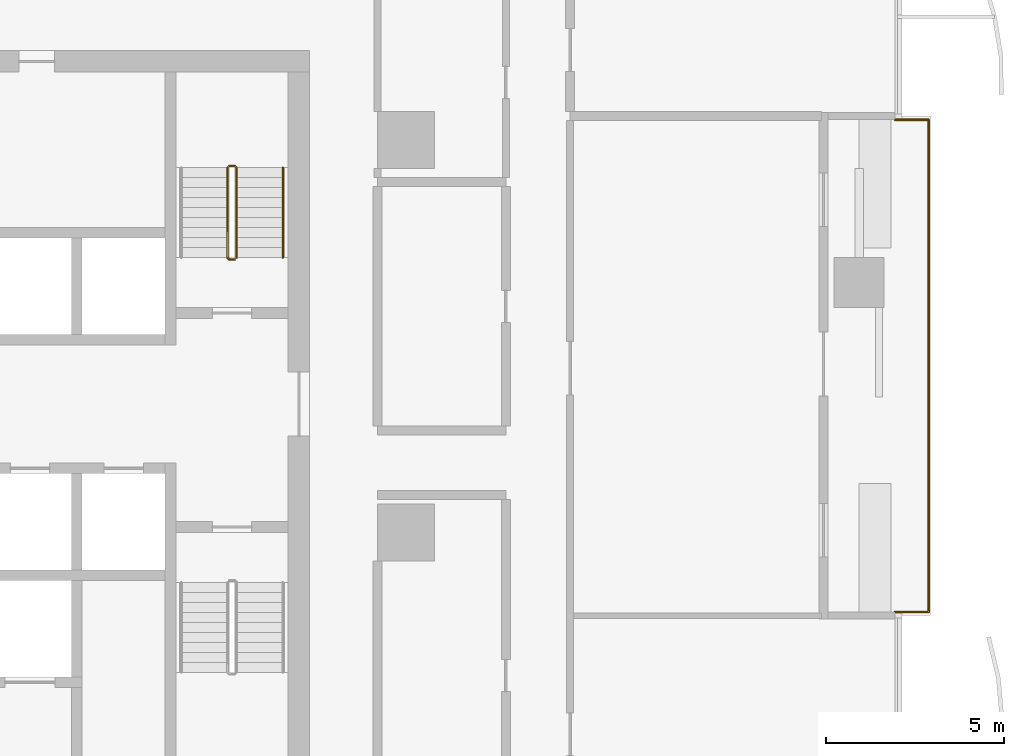
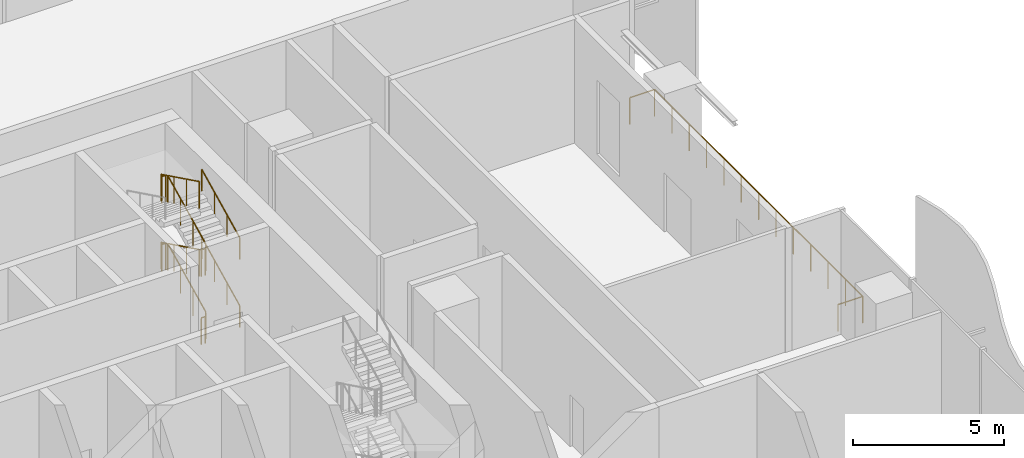
# One storey, part 20 of 21: 8 railings.
"""IFC4 building model written with IfcOpenShell, lengths in metres."""

from ifc_helpers import new_model, si_unit, direction, frame, origin, origin_2d, place, context, subcontext, project, spatial, circle, extrude, material, type_object, element, save


model = new_model("IFC4")

# Units and contexts
model_context = context("Model", 3, precision=1e-05, world=origin(), true_north=direction((0.0, 1.0)))
body_context = subcontext(model_context, "Body", "Model", "MODEL_VIEW")
ifc_project = project(units=[si_unit("LENGTHUNIT", "METRE"), si_unit("AREAUNIT", "SQUARE_METRE"), si_unit("VOLUMEUNIT", "CUBIC_METRE"), si_unit("PLANEANGLEUNIT", "RADIAN"), si_unit("MASSUNIT", "GRAM", prefix="KILO")], contexts=[model_context])

# Site, building, storey
site_placement = place(None, origin())
site = spatial("IfcSite", under=ifc_project, at=site_placement, CompositionType="ELEMENT")
building_placement = place(site_placement, origin())
building = spatial("IfcBuilding", under=site, at=building_placement, Name="Mopane Tessera Tower", CompositionType="ELEMENT")
storey_placement = place(building_placement, frame((0.0, 0.0, 20.0)))
storey = spatial("IfcBuildingStorey", under=building, at=storey_placement, Name="L03", CompositionType="ELEMENT", Elevation=20.0)

# Railings
ifc_material_1 = material(Name="Powder-coated steel balustrade", Category="steel")
railing_type_1 = type_object("IfcRailingType", Name="Escape stair guard 1100 mm", PredefinedType="GUARDRAIL", material=ifc_material_1)
railing_1_placement = place(storey_placement, frame((12.35009765625, 7.699951171875, 0.137451171875)))
element("IfcRailing", 1, at=railing_1_placement, inside=storey, type_object=railing_type_1, Name="L03 ST4 stair guard 1", PredefinedType="GUARDRAIL", context=body_context, shape_type="SweptSolid", body=[
    extrude(circle(Radius=0.02392578125, at=origin_2d()), frame((0.0, 0.0, 1.076171875), z_axis=(0.0, 0.897604431175, 0.440801866075), x_axis=(-1.0, 0.0, 0.0)), (0.0, 0.0, 1.0), 2.807373046875),
    extrude(circle(Radius=0.02392578125, at=origin_2d()), frame((0.0, 2.52001953125, 2.3134765625), z_axis=(-0.707106781187, 0.707106781187, 0.0), x_axis=(-0.707106781187, -0.707106781187, 0.0)), (0.0, 0.0, 1.0), 0.07080078125),
    extrude(circle(Radius=0.02392578125, at=origin_2d()), frame((-0.050048828125, 2.570068359375, 2.3134765625), z_axis=(-1.0, 0.0, 0.0), x_axis=(0.0, -1.0, 0.0)), (0.0, 0.0, 1.0), 0.150146484375),
    extrude(circle(Radius=0.02099609375, at=origin_2d()), origin(), (0.0, 0.0, 1.0), 1.052001953125),
    extrude(circle(Radius=0.02099609375, at=origin_2d()), frame((0.0, 0.840087890625, 0.41259765625)), (0.0, 0.0, 1.0), 1.052001953125),
    extrude(circle(Radius=0.02099609375, at=origin_2d()), frame((0.0, 1.679931640625, 0.824951171875)), (0.0, 0.0, 1.0), 1.052001953125),
    extrude(circle(Radius=0.02099609375, at=origin_2d()), frame((0.0, 2.52001953125, 1.237548828125)), (0.0, 0.0, 1.0), 1.052001953125),
    extrude(circle(Radius=0.02099609375, at=origin_2d()), frame((-0.050048828125, 2.570068359375, 1.237548828125)), (0.0, 0.0, 1.0), 1.052001953125),
    extrude(circle(Radius=0.02099609375, at=origin_2d()), frame((-0.2001953125, 2.570068359375, 1.237548828125)), (0.0, 0.0, 1.0), 1.052001953125),
])
railing_2_placement = place(storey_placement, frame((12.10009765625, 10.219970703125, 1.512451171875)))
element("IfcRailing", 2, at=railing_2_placement, inside=storey, type_object=railing_type_1, Name="L03 ST4 stair guard 2", PredefinedType="GUARDRAIL", context=body_context, shape_type="SweptSolid", body=[
    extrude(circle(Radius=0.02392578125, at=origin_2d()), frame((0.0, 0.0, 1.076171875), z_axis=(0.0, -0.897604431175, 0.440801866075), x_axis=(1.0, 0.0, 0.0)), (0.0, 0.0, 1.0), 2.807373046875),
    extrude(circle(Radius=0.02392578125, at=origin_2d()), frame((0.0, -2.52001953125, 2.3134765625), z_axis=(0.705375805398, -0.708833529934, 0.0), x_axis=(0.708833529934, 0.705375805398, 0.0)), (0.0, 0.0, 1.0), 0.070556640625),
    extrude(circle(Radius=0.02392578125, at=origin_2d()), frame((0.0498046875, -2.570068359375, 2.3134765625), z_axis=(1.0, 0.0, 0.0), x_axis=(0.0, 1.0, 0.0)), (0.0, 0.0, 1.0), 0.150146484375),
    extrude(circle(Radius=0.02099609375, at=origin_2d()), origin(), (0.0, 0.0, 1.0), 1.052001953125),
    extrude(circle(Radius=0.02099609375, at=origin_2d()), frame((0.0, -0.840087890625, 0.41259765625)), (0.0, 0.0, 1.0), 1.052001953125),
    extrude(circle(Radius=0.02099609375, at=origin_2d()), frame((0.0, -1.679931640625, 0.824951171875)), (0.0, 0.0, 1.0), 1.052001953125),
    extrude(circle(Radius=0.02099609375, at=origin_2d()), frame((0.0, -2.52001953125, 1.237548828125)), (0.0, 0.0, 1.0), 1.052001953125),
    extrude(circle(Radius=0.02099609375, at=origin_2d()), frame((0.0498046875, -2.570068359375, 1.237548828125)), (0.0, 0.0, 1.0), 1.052001953125),
    extrude(circle(Radius=0.02099609375, at=origin_2d()), frame((0.199951171875, -2.570068359375, 1.237548828125)), (0.0, 0.0, 1.0), 1.052001953125),
])
railing_3_placement = place(storey_placement, frame((12.35009765625, 7.699951171875, 2.887451171875)))
element("IfcRailing", 3, at=railing_3_placement, inside=storey, type_object=railing_type_1, Name="L03 ST4 stair guard 3", PredefinedType="GUARDRAIL", context=body_context, shape_type="SweptSolid", body=[
    extrude(circle(Radius=0.02392578125, at=origin_2d()), frame((0.0, 0.0, 1.076171875), z_axis=(0.0, 0.897604431175, 0.440801866075), x_axis=(-1.0, 0.0, 0.0)), (0.0, 0.0, 1.0), 2.807373046875),
    extrude(circle(Radius=0.02392578125, at=origin_2d()), frame((0.0, 2.52001953125, 2.3134765625), z_axis=(-0.707106781187, 0.707106781187, 0.0), x_axis=(-0.707106781187, -0.707106781187, 0.0)), (0.0, 0.0, 1.0), 0.07080078125),
    extrude(circle(Radius=0.02392578125, at=origin_2d()), frame((-0.050048828125, 2.570068359375, 2.3134765625), z_axis=(-1.0, 0.0, 0.0), x_axis=(0.0, -1.0, 0.0)), (0.0, 0.0, 1.0), 0.150146484375),
    extrude(circle(Radius=0.02099609375, at=origin_2d()), origin(), (0.0, 0.0, 1.0), 1.052001953125),
    extrude(circle(Radius=0.02099609375, at=origin_2d()), frame((0.0, 0.840087890625, 0.41259765625)), (0.0, 0.0, 1.0), 1.052001953125),
    extrude(circle(Radius=0.02099609375, at=origin_2d()), frame((0.0, 1.679931640625, 0.824951171875)), (0.0, 0.0, 1.0), 1.052001953125),
    extrude(circle(Radius=0.02099609375, at=origin_2d()), frame((0.0, 2.52001953125, 1.237548828125)), (0.0, 0.0, 1.0), 1.052001953125),
    extrude(circle(Radius=0.02099609375, at=origin_2d()), frame((-0.050048828125, 2.570068359375, 1.237548828125)), (0.0, 0.0, 1.0), 1.052001953125),
    extrude(circle(Radius=0.02099609375, at=origin_2d()), frame((-0.2001953125, 2.570068359375, 1.237548828125)), (0.0, 0.0, 1.0), 1.052001953125),
])
railing_4_placement = place(storey_placement, frame((12.10009765625, 10.219970703125, 4.262451171875)))
element("IfcRailing", 4, at=railing_4_placement, inside=storey, type_object=railing_type_1, Name="L03 ST4 stair guard 4", PredefinedType="GUARDRAIL", context=body_context, shape_type="SweptSolid", body=[
    extrude(circle(Radius=0.02392578125, at=origin_2d()), frame((0.0, 0.0, 1.076171875), z_axis=(0.0, -0.897604431175, 0.440801866075), x_axis=(1.0, 0.0, 0.0)), (0.0, 0.0, 1.0), 2.807373046875),
    extrude(circle(Radius=0.02099609375, at=origin_2d()), origin(), (0.0, 0.0, 1.0), 1.052001953125),
    extrude(circle(Radius=0.02099609375, at=origin_2d()), frame((0.0, -0.840087890625, 0.41259765625)), (0.0, 0.0, 1.0), 1.052001953125),
    extrude(circle(Radius=0.02099609375, at=origin_2d()), frame((0.0, -1.679931640625, 0.824951171875)), (0.0, 0.0, 1.0), 1.052001953125),
    extrude(circle(Radius=0.02099609375, at=origin_2d()), frame((0.0, -2.52001953125, 1.237548828125)), (0.0, 0.0, 1.0), 1.052001953125),
])
railing_5_placement = place(storey_placement, frame((12.300048828125, 7.64990234375, 0.0)))
element("IfcRailing", 5, at=railing_5_placement, inside=storey, type_object=railing_type_1, Name="L03 ST4 stair guard 5", PredefinedType="GUARDRAIL", context=body_context, shape_type="SweptSolid", body=[
    extrude(circle(Radius=0.02392578125, at=origin_2d()), frame((0.0, 0.0, 1.076171875), z_axis=(-1.0, 0.0, 0.0), x_axis=(0.0, -1.0, 0.0)), (0.0, 0.0, 1.0), 0.150146484375),
    extrude(circle(Radius=0.02099609375, at=origin_2d()), origin(), (0.0, 0.0, 1.0), 1.052001953125),
    extrude(circle(Radius=0.02099609375, at=origin_2d()), frame((-0.150146484375, 0.0, 0.0)), (0.0, 0.0, 1.0), 1.052001953125),
])
ifc_material_2 = material(Name="Powder-coated steel balustrade", Category="steel")
railing_type_2 = type_object("IfcRailingType", Name="Escape stair handrail 900 mm", PredefinedType="HANDRAIL", material=ifc_material_2)
for number, where, name in (
    (6, (13.64990234375, 7.699951171875, 0.137451171875), "L03 ST4 stair handrail 1"),
    (7, (13.64990234375, 7.699951171875, 2.887451171875), "L03 ST4 stair handrail 3"),
):
    element("IfcRailing", number, at=place(storey_placement, frame(where)), inside=storey, type_object=railing_type_2, Name=name, PredefinedType="HANDRAIL", context=body_context, shape_type="SweptSolid", body=[
        extrude(circle(Radius=0.02392578125, at=origin_2d()), frame((0.0, 0.0, 0.8759765625), z_axis=(0.0, 0.897604431175, 0.440801866075), x_axis=(-1.0, 0.0, 0.0)), (0.0, 0.0, 1.0), 2.807373046875),
        extrude(circle(Radius=0.02099609375, at=origin_2d()), origin(), (0.0, 0.0, 1.0), 0.851806640625),
        extrude(circle(Radius=0.02099609375, at=origin_2d()), frame((0.0, 0.840087890625, 0.41259765625)), (0.0, 0.0, 1.0), 0.851806640625),
        extrude(circle(Radius=0.02099609375, at=origin_2d()), frame((0.0, 1.679931640625, 0.824951171875)), (0.0, 0.0, 1.0), 0.851806640625),
        extrude(circle(Radius=0.02099609375, at=origin_2d()), frame((0.0, 2.52001953125, 1.237548828125)), (0.0, 0.0, 1.0), 0.851806640625),
    ])
ifc_material_3 = material(Name="Stainless steel S316", Category="steel")
railing_type_3 = type_object("IfcRailingType", Name="Terrace guard 1100", PredefinedType="GUARDRAIL", material=ifc_material_3)
railing_6_placement = place(storey_placement, frame((30.800048828125, -2.2333984375, 0.0)))
element("IfcRailing", 8, at=railing_6_placement, inside=storey, type_object=railing_type_3, Name="e:nw:L03:N2:guard", PredefinedType="GUARDRAIL", context=body_context, shape_type="SweptSolid", body=[
    extrude(circle(Radius=0.02392578125, at=origin_2d()), frame((0.0, 0.0, 1.076171875), z_axis=(1.0, 0.0, 0.0), x_axis=(0.0, 1.0, 0.0)), (0.0, 0.0, 1.0), 0.949951171875),
    extrude(circle(Radius=0.02392578125, at=origin_2d()), frame((0.949951171875, 0.0, 1.076171875), z_axis=(0.0, 1.0, 0.0), x_axis=(-1.0, 0.0, 0.0)), (0.0, 0.0, 1.0), 13.800048828125),
    extrude(circle(Radius=0.02392578125, at=origin_2d()), frame((0.949951171875, 13.800048828125, 1.076171875), z_axis=(-1.0, 0.0, 0.0), x_axis=(0.0, -1.0, 0.0)), (0.0, 0.0, 1.0), 0.949951171875),
    extrude(circle(Radius=0.02099609375, at=origin_2d()), origin(), (0.0, 0.0, 1.0), 1.052001953125),
    extrude(circle(Radius=0.02099609375, at=origin_2d()), frame((0.949951171875, 0.0, 0.0)), (0.0, 0.0, 1.0), 1.052001953125),
    extrude(circle(Radius=0.02099609375, at=origin_2d()), frame((0.949951171875, 1.14990234375, 0.0)), (0.0, 0.0, 1.0), 1.052001953125),
    extrude(circle(Radius=0.02099609375, at=origin_2d()), frame((0.949951171875, 2.300048828125, 0.0)), (0.0, 0.0, 1.0), 1.052001953125),
    extrude(circle(Radius=0.02099609375, at=origin_2d()), frame((0.949951171875, 3.449951171875, 0.0)), (0.0, 0.0, 1.0), 1.052001953125),
    extrude(circle(Radius=0.02099609375, at=origin_2d()), frame((0.949951171875, 4.60009765625, 0.0)), (0.0, 0.0, 1.0), 1.052001953125),
    extrude(circle(Radius=0.02099609375, at=origin_2d()), frame((0.949951171875, 5.75, 0.0)), (0.0, 0.0, 1.0), 1.052001953125),
    extrude(circle(Radius=0.02099609375, at=origin_2d()), frame((0.949951171875, 6.89990234375, 0.0)), (0.0, 0.0, 1.0), 1.052001953125),
    extrude(circle(Radius=0.02099609375, at=origin_2d()), frame((0.949951171875, 8.050048828125, 0.0)), (0.0, 0.0, 1.0), 1.052001953125),
    extrude(circle(Radius=0.02099609375, at=origin_2d()), frame((0.949951171875, 9.199951171875, 0.0)), (0.0, 0.0, 1.0), 1.052001953125),
    extrude(circle(Radius=0.02099609375, at=origin_2d()), frame((0.949951171875, 10.35009765625, 0.0)), (0.0, 0.0, 1.0), 1.052001953125),
    extrude(circle(Radius=0.02099609375, at=origin_2d()), frame((0.949951171875, 11.5, 0.0)), (0.0, 0.0, 1.0), 1.052001953125),
    extrude(circle(Radius=0.02099609375, at=origin_2d()), frame((0.949951171875, 12.650146484375, 0.0)), (0.0, 0.0, 1.0), 1.052001953125),
    extrude(circle(Radius=0.02099609375, at=origin_2d()), frame((0.949951171875, 13.800048828125, 0.0)), (0.0, 0.0, 1.0), 1.052001953125),
    extrude(circle(Radius=0.02099609375, at=origin_2d()), frame((0.0, 13.800048828125, 0.0)), (0.0, 0.0, 1.0), 1.052001953125),
])

save(model, "model.ifc")
